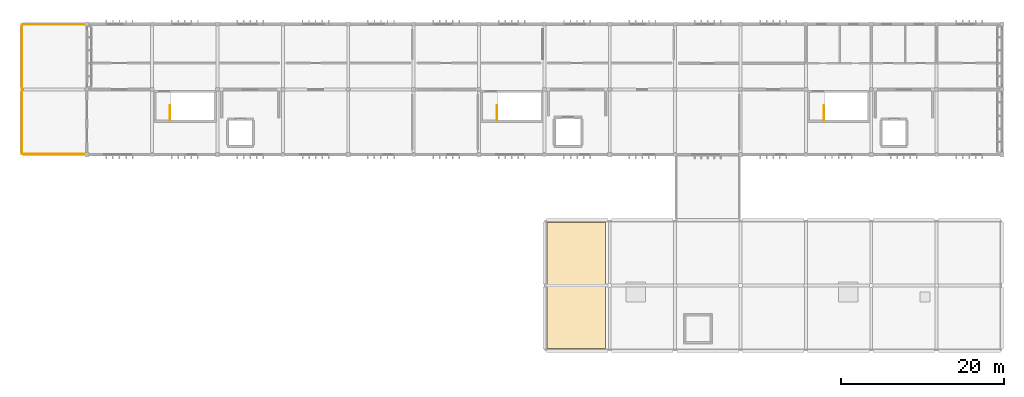
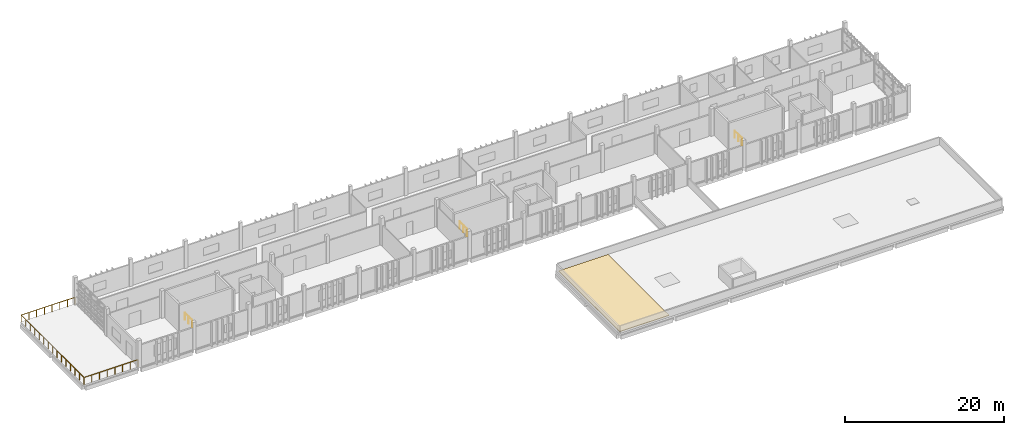
# One storey, part 16 of 16: 4 railings, 1 covering.
"""IFC4 building model written with IfcOpenShell, lengths in metres."""

from ifc_helpers import new_model, si_unit, direction, frame, origin, origin_2d, place, context, subcontext, project, spatial, polyline, circle, outline, extrude, material, layer, layer_set, type_object, element, save


model = new_model("IFC4")

# Units and contexts
model_context = context("Model", 3, precision=1e-05, world=origin(), true_north=direction((0.0, 1.0)))
body_context = subcontext(model_context, "Body", "Model", "MODEL_VIEW")
ifc_project = project(units=[si_unit("LENGTHUNIT", "METRE"), si_unit("AREAUNIT", "SQUARE_METRE"), si_unit("VOLUMEUNIT", "CUBIC_METRE"), si_unit("PLANEANGLEUNIT", "RADIAN"), si_unit("MASSUNIT", "GRAM", prefix="KILO")], contexts=[model_context])

# Site, building, storey
site_placement = place(None, origin())
site = spatial("IfcSite", under=ifc_project, at=site_placement, CompositionType="ELEMENT")
building_placement = place(site_placement, origin())
building = spatial("IfcBuilding", under=site, at=building_placement, Name="Jelvoka-Kovrelna Polytechnic", CompositionType="ELEMENT")
storey_placement = place(building_placement, frame((0.0, 0.0, 30.60009765625)))
storey = spatial("IfcBuildingStorey", under=building, at=storey_placement, Name="L08", CompositionType="ELEMENT", Elevation=30.60009765625)

# Covering
ifc_material_1 = material(Name="Insulated elastomeric waterproofing membrane")
ifc_layer = layer(ifc_material_1, 0.080078125)
ifc_layer_set = layer_set([ifc_layer], Name="Insulated elastomeric waterproofing membrane")
covering_type = type_object("IfcCoveringType", Name="Covering_Roof_Membrane_80", PredefinedType="ROOFING", material=ifc_layer_set)
covering_placement = place(storey_placement, origin())
element("IfcCovering", 1, at=covering_placement, inside=storey, type_object=covering_type, Name="L08 insulated roof membrane COV-ROOF-L08-B2E", PredefinedType="ROOFING", context=body_context, shape_type="SweptSolid", body=[
    extrude(outline(polyline([(128.300048828125, 32.300048828125), (135.5, 32.300048828125), (135.5, 47.699951171875), (128.300048828125, 47.699951171875), (128.300048828125, 32.300048828125)])), origin(), (0.0, 0.0, 1.0), 0.079833984375),
])

# Railings
ifc_material_2 = material(Name="Powder-coated steel stair guard", Category="steel")
railing_type_1 = type_object("IfcRailingType", Name="Railing_Stair_Guard_1100", PredefinedType="GUARDRAIL", material=ifc_material_2)
for number, where, name in (
    (2, (82.199951171875, 60.199951171875, 0.0), "L08 ST09 top well guard 1"),
    (3, (162.199951171875, 60.199951171875, 0.0), "L08 ST10 top well guard 1"),
):
    element("IfcRailing", number, at=place(storey_placement, frame(where)), inside=storey, type_object=railing_type_1, Name=name, PredefinedType="GUARDRAIL", context=body_context, shape_type="SweptSolid", body=[
        extrude(circle(Radius=0.02392578125, at=origin_2d()), frame((0.0, 0.0, 1.076171875), z_axis=(0.0, 1.0, 0.0), x_axis=(-1.0, 0.0, 0.0)), (0.0, 0.0, 1.0), 1.820068359375),
        extrude(circle(Radius=0.02099609375, at=origin_2d()), origin(), (0.0, 0.0, 1.0), 1.052001953125),
        extrude(circle(Radius=0.02099609375, at=origin_2d()), frame((0.0, 0.91015625, 0.0)), (0.0, 0.0, 1.0), 1.052001953125),
        extrude(circle(Radius=0.02099609375, at=origin_2d()), frame((0.0, 1.820068359375, 0.0)), (0.0, 0.0, 1.0), 1.052001953125),
    ])
railing_1_placement = place(storey_placement, frame((122.199951171875, 60.199951171875, 0.0)))
element("IfcRailing", 4, at=railing_1_placement, inside=storey, type_object=railing_type_1, Name="L08 ST11 top well guard 1", PredefinedType="GUARDRAIL", context=body_context, shape_type="SweptSolid", body=[
    extrude(circle(Radius=0.02392578125, at=origin_2d()), frame((0.0, 0.0, 1.076171875), z_axis=(0.0, 1.0, 0.0), x_axis=(-1.0, 0.0, 0.0)), (0.0, 0.0, 1.0), 1.860107421875),
    extrude(circle(Radius=0.02099609375, at=origin_2d()), origin(), (0.0, 0.0, 1.0), 1.052001953125),
    extrude(circle(Radius=0.02099609375, at=origin_2d()), frame((0.0, 0.93017578125, 0.0)), (0.0, 0.0, 1.0), 1.052001953125),
    extrude(circle(Radius=0.02099609375, at=origin_2d()), frame((0.0, 1.860107421875, 0.0)), (0.0, 0.0, 1.0), 1.052001953125),
])
ifc_material_3 = material(Name="Brushed stainless steel Grade 316", Category="steel")
railing_type_2 = type_object("IfcRailingType", Name="Railing_Terrace_Guard_1100", PredefinedType="GUARDRAIL", material=ifc_material_3)
railing_2_placement = place(storey_placement, frame((71.919921875, 56.080078125, 0.0)))
element("IfcRailing", 5, at=railing_2_placement, inside=storey, type_object=railing_type_2, Name="L08 terrace perimeter guard TER-L08-B3W", PredefinedType="GUARDRAIL", context=body_context, shape_type="SweptSolid", body=[
    extrude(circle(Radius=0.02392578125, at=origin_2d()), frame((0.0, 0.0, 1.076171875), z_axis=(-1.0, 0.0, 0.0), x_axis=(0.0, -1.0, 0.0)), (0.0, 0.0, 1.0), 7.83984375),
    extrude(circle(Radius=0.02392578125, at=origin_2d()), frame((-7.83984375, 0.0, 1.076171875), z_axis=(0.0, 1.0, 0.0), x_axis=(-1.0, 0.0, 0.0)), (0.0, 0.0, 1.0), 15.83984375),
    extrude(circle(Radius=0.02392578125, at=origin_2d()), frame((-7.83984375, 15.83984375, 1.076171875), z_axis=(1.0, 0.0, 0.0), x_axis=(0.0, 1.0, 0.0)), (0.0, 0.0, 1.0), 7.83984375),
    extrude(circle(Radius=0.02099609375, at=origin_2d()), origin(), (0.0, 0.0, 1.0), 1.052001953125),
    extrude(circle(Radius=0.02099609375, at=origin_2d()), frame((-1.119873046875, 0.0, 0.0)), (0.0, 0.0, 1.0), 1.052001953125),
    extrude(circle(Radius=0.02099609375, at=origin_2d()), frame((-2.239990234375, 0.0, 0.0)), (0.0, 0.0, 1.0), 1.052001953125),
    extrude(circle(Radius=0.02099609375, at=origin_2d()), frame((-3.35986328125, 0.0, 0.0)), (0.0, 0.0, 1.0), 1.052001953125),
    extrude(circle(Radius=0.02099609375, at=origin_2d()), frame((-4.47998046875, 0.0, 0.0)), (0.0, 0.0, 1.0), 1.052001953125),
    extrude(circle(Radius=0.02099609375, at=origin_2d()), frame((-5.599853515625, 0.0, 0.0)), (0.0, 0.0, 1.0), 1.052001953125),
    extrude(circle(Radius=0.02099609375, at=origin_2d()), frame((-6.719970703125, 0.0, 0.0)), (0.0, 0.0, 1.0), 1.052001953125),
    extrude(circle(Radius=0.02099609375, at=origin_2d()), frame((-7.83984375, 0.0, 0.0)), (0.0, 0.0, 1.0), 1.052001953125),
    extrude(circle(Radius=0.02099609375, at=origin_2d()), frame((-7.83984375, 1.13134765625, 0.0)), (0.0, 0.0, 1.0), 1.052001953125),
    extrude(circle(Radius=0.02099609375, at=origin_2d()), frame((-7.83984375, 2.262939453125, 0.0)), (0.0, 0.0, 1.0), 1.052001953125),
    extrude(circle(Radius=0.02099609375, at=origin_2d()), frame((-7.83984375, 3.394287109375, 0.0)), (0.0, 0.0, 1.0), 1.052001953125),
    extrude(circle(Radius=0.02099609375, at=origin_2d()), frame((-7.83984375, 4.525634765625, 0.0)), (0.0, 0.0, 1.0), 1.052001953125),
    extrude(circle(Radius=0.02099609375, at=origin_2d()), frame((-7.83984375, 5.656982421875, 0.0)), (0.0, 0.0, 1.0), 1.052001953125),
    extrude(circle(Radius=0.02099609375, at=origin_2d()), frame((-7.83984375, 6.78857421875, 0.0)), (0.0, 0.0, 1.0), 1.052001953125),
    extrude(circle(Radius=0.02099609375, at=origin_2d()), frame((-7.83984375, 7.919921875, 0.0)), (0.0, 0.0, 1.0), 1.052001953125),
    extrude(circle(Radius=0.02099609375, at=origin_2d()), frame((-7.83984375, 9.05126953125, 0.0)), (0.0, 0.0, 1.0), 1.052001953125),
    extrude(circle(Radius=0.02099609375, at=origin_2d()), frame((-7.83984375, 10.182861328125, 0.0)), (0.0, 0.0, 1.0), 1.052001953125),
    extrude(circle(Radius=0.02099609375, at=origin_2d()), frame((-7.83984375, 11.314208984375, 0.0)), (0.0, 0.0, 1.0), 1.052001953125),
    extrude(circle(Radius=0.02099609375, at=origin_2d()), frame((-7.83984375, 12.445556640625, 0.0)), (0.0, 0.0, 1.0), 1.052001953125),
    extrude(circle(Radius=0.02099609375, at=origin_2d()), frame((-7.83984375, 13.576904296875, 0.0)), (0.0, 0.0, 1.0), 1.052001953125),
    extrude(circle(Radius=0.02099609375, at=origin_2d()), frame((-7.83984375, 14.70849609375, 0.0)), (0.0, 0.0, 1.0), 1.052001953125),
    extrude(circle(Radius=0.02099609375, at=origin_2d()), frame((-7.83984375, 15.83984375, 0.0)), (0.0, 0.0, 1.0), 1.052001953125),
    extrude(circle(Radius=0.02099609375, at=origin_2d()), frame((-6.719970703125, 15.83984375, 0.0)), (0.0, 0.0, 1.0), 1.052001953125),
    extrude(circle(Radius=0.02099609375, at=origin_2d()), frame((-5.599853515625, 15.83984375, 0.0)), (0.0, 0.0, 1.0), 1.052001953125),
    extrude(circle(Radius=0.02099609375, at=origin_2d()), frame((-4.47998046875, 15.83984375, 0.0)), (0.0, 0.0, 1.0), 1.052001953125),
    extrude(circle(Radius=0.02099609375, at=origin_2d()), frame((-3.35986328125, 15.83984375, 0.0)), (0.0, 0.0, 1.0), 1.052001953125),
    extrude(circle(Radius=0.02099609375, at=origin_2d()), frame((-2.239990234375, 15.83984375, 0.0)), (0.0, 0.0, 1.0), 1.052001953125),
    extrude(circle(Radius=0.02099609375, at=origin_2d()), frame((-1.119873046875, 15.83984375, 0.0)), (0.0, 0.0, 1.0), 1.052001953125),
    extrude(circle(Radius=0.02099609375, at=origin_2d()), frame((0.0, 15.83984375, 0.0)), (0.0, 0.0, 1.0), 1.052001953125),
])

save(model, "model.ifc")
